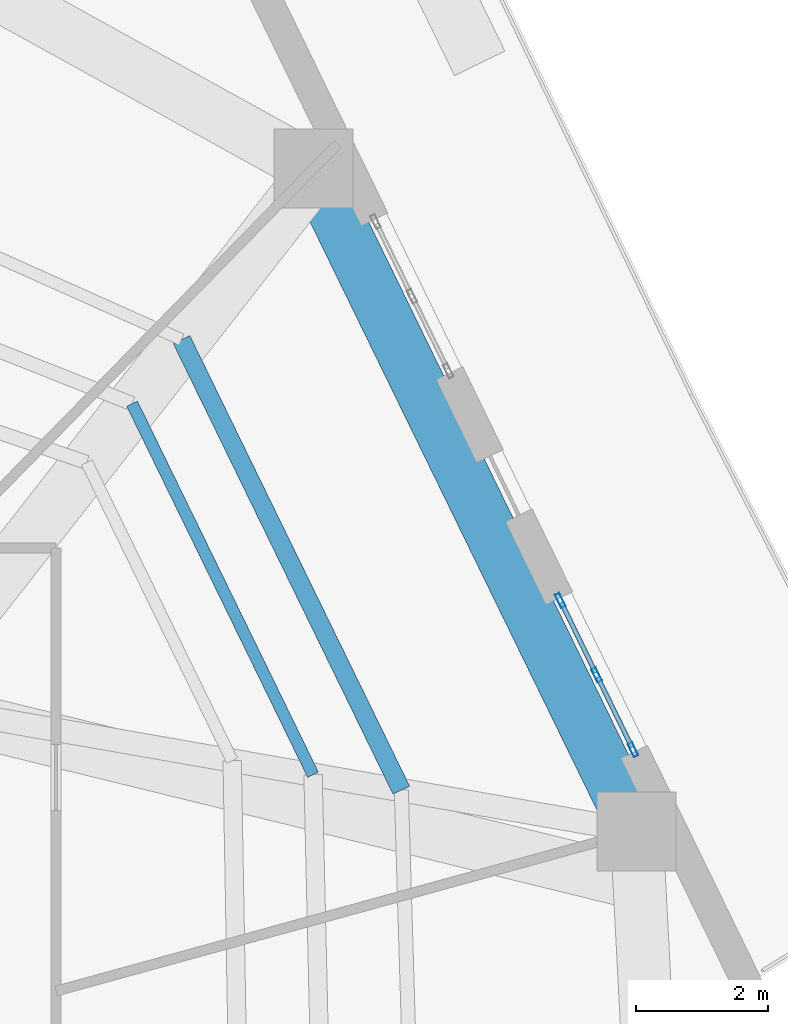
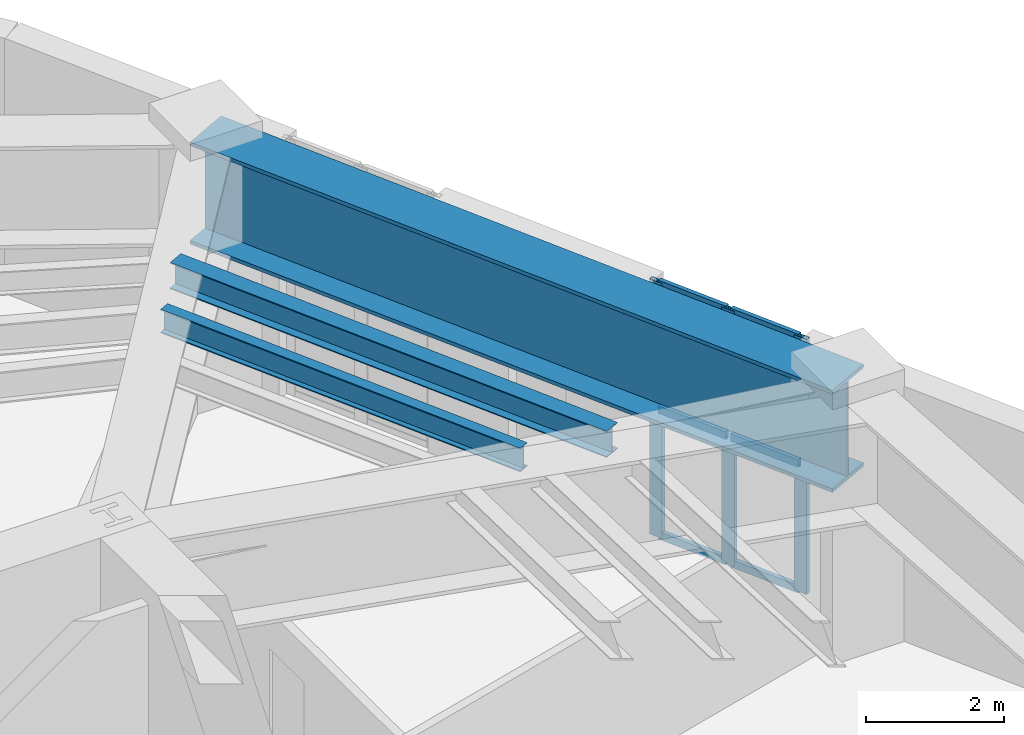
# One storey, part 10 of 22: 9 members, 3 beams, 1 element without a shape of its own.
"""IFC4 building model written with IfcOpenShell, lengths in metres."""

import ifcopenshell
import ifcopenshell.guid

model = None  # the IFC model being written
_history = None  # IfcOwnerHistory: only IFC2X3 demands one
_inside = {}  # id of a spatial element -> (the spatial element, [elements in it])
_under = {}  # id of a project, library or spatial element -> (it, [spatial elements below it])
_declared = {}  # id of a project -> (the project, [libraries it declares])
_typed = {}  # id of a type object -> (the type object, [elements of that type])
_made_of = {}  # id of a material, layer set ... -> (it, [elements and type objects made of it])


def new_model(schema):
    """Start an empty IFC model of exactly this schema.

    Asked for "IFC4X3", IfcOpenShell would pick the latest addendum, in which some entities
    have other attributes; the version numbers below select the first issue.
    IFC2X3 requires an IfcOwnerHistory on every rooted entity: one is made here for all.
    """
    global model, _history
    if schema == "IFC4X3":
        model = ifcopenshell.file(schema_version=(4, 3, 0, 0))
    else:
        model = ifcopenshell.file(schema=schema)
    _inside.clear()
    _under.clear()
    _declared.clear()
    _typed.clear()
    _made_of.clear()
    _history = None
    if model.schema == "IFC2X3":
        org = make("IfcOrganization", Name="unknown")
        user = make(
            "IfcPersonAndOrganization",
            ThePerson=make("IfcPerson", FamilyName="unknown"),
            TheOrganization=org,
        )
        app = make(
            "IfcApplication",
            ApplicationDeveloper=org,
            Version="unknown",
            ApplicationFullName="unknown",
            ApplicationIdentifier="unknown",
        )
        _history = make(
            "IfcOwnerHistory",
            OwningUser=user,
            OwningApplication=app,
            ChangeAction="ADDED",
            CreationDate=0,
        )
    return model


def make(cls, **values):
    """One entity of the class cls with the attributes given. An attribute that is None is left unset."""
    return model.create_entity(
        cls, **{name: value for name, value in values.items() if value is not None}
    )


def rooted(cls, **values):
    """An entity with a GlobalId (a new one), such as an element, a storey or a relation."""
    return make(cls, GlobalId=ifcopenshell.guid.new(), OwnerHistory=_history, **values)


def si_unit(unit_type, name, prefix=None):
    """IfcSIUnit, for example si_unit("LENGTHUNIT", "METRE", prefix="MILLI")."""
    return make("IfcSIUnit", UnitType=unit_type, Prefix=prefix, Name=name)


def assignment(units):
    """IfcUnitAssignment: the units of a project."""
    return None if units is None else make("IfcUnitAssignment", Units=units)


def point(xyz):
    """IfcCartesianPoint."""
    return None if xyz is None else make("IfcCartesianPoint", Coordinates=xyz)


def direction(xyz):
    """IfcDirection."""
    return None if xyz is None else make("IfcDirection", DirectionRatios=xyz)


def frame(location, z_axis=None, x_axis=None):
    """IfcAxis2Placement3D, a coordinate frame: its origin and axes. An axis left out is left unset."""
    return make(
        "IfcAxis2Placement3D",
        Location=point(location),
        Axis=direction(z_axis),
        RefDirection=direction(x_axis),
    )


def frame_2d(location, x_axis=None):
    """IfcAxis2Placement2D, a coordinate frame in the plane: its origin and x axis."""
    return make(
        "IfcAxis2Placement2D", Location=point(location), RefDirection=direction(x_axis)
    )


def origin():
    """The frame at (0, 0, 0) with its axes left unset."""
    return frame((0.0, 0.0, 0.0))


def origin_2d():
    """The frame at (0, 0) in the plane with its x axis left unset."""
    return frame_2d((0.0, 0.0))


def place(relative_to, where):
    """IfcLocalPlacement: puts the frame where relative to a parent placement (None: the world)."""
    return make(
        "IfcLocalPlacement", PlacementRelTo=relative_to, RelativePlacement=where
    )


def context(
    kind, dimensions, precision=None, world=None, true_north=None, identifier=None
):
    """IfcGeometricRepresentationContext, for example the 3D "Model" context."""
    return make(
        "IfcGeometricRepresentationContext",
        ContextIdentifier=identifier,
        ContextType=kind,
        CoordinateSpaceDimension=dimensions,
        Precision=precision,
        WorldCoordinateSystem=world,
        TrueNorth=true_north,
    )


def subcontext(parent, identifier, kind, view, scale=None):
    """IfcGeometricRepresentationSubContext, for example "Body" below "Model"."""
    return make(
        "IfcGeometricRepresentationSubContext",
        ContextIdentifier=identifier,
        ContextType=kind,
        ParentContext=parent,
        TargetScale=scale,
        TargetView=view,
    )


def project(units=None, contexts=None):
    """IfcProject with its units and contexts."""
    return rooted(
        "IfcProject",
        Name="project",
        RepresentationContexts=contexts,
        UnitsInContext=assignment(units),
    )


def spatial(cls, under=None, at=None, **own):
    """A site, building, storey or space (cls), placed at a placement, below another one or the project."""
    s = rooted(cls, ObjectPlacement=at, **own)
    if under is not None:
        _under.setdefault(under.id(), (under, []))[1].append(s)
    return s


def profile(cls, at=None, kind="AREA", **sizes):
    """A parametric profile (cls). Its sizes go by their IFC names, for example OverallWidth=200.0."""
    return make(cls, ProfileType=kind, Position=at, **sizes)


def hollow_rectangle(**sizes):
    """IfcRectangleHollowProfileDef."""
    return profile("IfcRectangleHollowProfileDef", **sizes)


def i_section(**sizes):
    """IfcIShapeProfileDef."""
    return profile("IfcIShapeProfileDef", **sizes)


def extrude(swept, where, along, depth):
    """IfcExtrudedAreaSolid: the profile swept, set in the frame where, extruded along a direction by depth."""
    return make(
        "IfcExtrudedAreaSolid",
        SweptArea=swept,
        Position=where,
        ExtrudedDirection=direction(along),
        Depth=depth,
    )


def shape(context_of_items, identifier, shape_type, items):
    """IfcShapeRepresentation: the items that make up one representation, for example the "Body"."""
    return make(
        "IfcShapeRepresentation",
        ContextOfItems=context_of_items,
        RepresentationIdentifier=identifier,
        RepresentationType=shape_type,
        Items=items,
    )


def material(Name=None, Category=None):
    """IfcMaterial."""
    return make("IfcMaterial", Name=Name, Category=Category)


def layer(
    of_material, thickness, ventilated=None, Name=None, Category=None, Priority=None
):
    """IfcMaterialLayer: one layer of a wall or slab, of a material (None: an air gap)."""
    return make(
        "IfcMaterialLayer",
        Material=of_material,
        LayerThickness=thickness,
        IsVentilated=ventilated,
        Name=Name,
        Category=Category,
        Priority=Priority,
    )


def layer_set(layers, Name=None):
    """IfcMaterialLayerSet."""
    return make("IfcMaterialLayerSet", MaterialLayers=layers, LayerSetName=Name)


def material_profile(
    of_material, cross_section, Name=None, Category=None, Priority=None
):
    """IfcMaterialProfile: a cross section and its material."""
    return make(
        "IfcMaterialProfile",
        Name=Name,
        Material=of_material,
        Profile=cross_section,
        Priority=Priority,
        Category=Category,
    )


def profile_set(profiles, Name=None, composite=None):
    """IfcMaterialProfileSet."""
    return make(
        "IfcMaterialProfileSet",
        Name=Name,
        MaterialProfiles=profiles,
        CompositeProfile=composite,
    )


def made_of(thing, what):
    """Note that an element or type object is made of a material, layer set ...; save() writes the relation."""
    if what is not None:
        _made_of.setdefault(what.id(), (what, []))[1].append(thing)
    return thing


def type_object(cls, material=None, **own):
    """A type object (cls), such as IfcWallType, which elements share."""
    return made_of(rooted(cls, **own), material)


def element(
    cls,
    number,
    at=None,
    inside=None,
    cuts=None,
    type_object=None,
    material=None,
    context=None,
    identifier="Body",
    shape_type=None,
    held_by="IfcProductDefinitionShape",
    body=None,
    shapes=None,
    **own,
):
    """One element of the class cls, such as IfcWall. Its Tag is "e" and its number.

    at: its placement. inside: the storey or other place that contains it. cuts: it is an
    opening in that element (IfcRelVoidsElement). A single representation is given by context,
    identifier, shape_type and body (its items); several are given by shapes. held_by: the class
    of the entity that holds the representations. save() writes the other relations.
    """
    e = rooted(cls, Tag="e%d" % number, ObjectPlacement=at, **own)
    if body is not None:
        shapes = [shape(context, identifier, shape_type, body)]
    if shapes is not None:
        e.Representation = make(held_by, Representations=shapes)
    if inside is not None:
        _inside.setdefault(inside.id(), (inside, []))[1].append(e)
    if cuts is not None:
        rooted(
            "IfcRelVoidsElement", RelatingBuildingElement=cuts, RelatedOpeningElement=e
        )
    if type_object is not None:
        _typed.setdefault(type_object.id(), (type_object, []))[1].append(e)
    return made_of(e, material)


def aggregate(whole, parts):
    """IfcRelAggregates: a whole, such as a stair, and the parts it consists of."""
    return rooted("IfcRelAggregates", RelatingObject=whole, RelatedObjects=parts)


def save(model, path):
    """Write the relations noted so far, then the file.

    IfcRelAggregates (storeys below a building ...), IfcRelContainedInSpatialStructure (elements
    in a storey), IfcRelDefinesByType, IfcRelAssociatesMaterial and IfcRelDeclares: one each for
    every whole, place, type object, material and project.
    """
    for whole, parts in _under.values():
        aggregate(whole, parts)
    for where, things in _inside.values():
        rooted(
            "IfcRelContainedInSpatialStructure",
            RelatedElements=things,
            RelatingStructure=where,
        )
    for kind, things in _typed.values():
        rooted("IfcRelDefinesByType", RelatedObjects=things, RelatingType=kind)
    for what, things in _made_of.values():
        rooted("IfcRelAssociatesMaterial", RelatedObjects=things, RelatingMaterial=what)
    for by, libraries in _declared.values():
        rooted("IfcRelDeclares", RelatingContext=by, RelatedDefinitions=libraries)
    model.write(path)


model = new_model("IFC4")

# Units and contexts
model_context = context("Model", 3, precision=1e-05, world=origin(), true_north=direction((0.0, 1.0)))
body_context = subcontext(model_context, "Body", "Model", "MODEL_VIEW")
ifc_project = project(units=[si_unit("LENGTHUNIT", "METRE"), si_unit("AREAUNIT", "SQUARE_METRE"), si_unit("VOLUMEUNIT", "CUBIC_METRE"), si_unit("PLANEANGLEUNIT", "RADIAN"), si_unit("MASSUNIT", "GRAM", prefix="KILO")], contexts=[model_context])

# Site, building, storey
site_placement = place(None, origin())
site = spatial("IfcSite", under=ifc_project, at=site_placement, CompositionType="ELEMENT")
building_placement = place(site_placement, origin())
building = spatial("IfcBuilding", under=site, at=building_placement, Name="Kilnhurst Terrace Hotel", CompositionType="ELEMENT")
storey_placement = place(building_placement, frame((0.0, 0.0, 139.5)))
storey = spatial("IfcBuildingStorey", under=building, at=storey_placement, Name="L34", CompositionType="ELEMENT", Elevation=139.5)

# Beams
ifc_material_1 = material(Name="Steel ASTM A992 Grade 50", Category="steel")
ifc_material_profile_1 = material_profile(ifc_material_1, i_section(OverallWidth=0.180908203125, OverallDepth=0.417236328125, WebThickness=0.010986328125, FlangeThickness=0.018310546875, at=origin_2d()), Name="W16X57")
ifc_profile_set_1 = profile_set([ifc_material_profile_1], Name="Steel ASTM A992 Grade 50")
beam_type_1 = type_object("IfcBeamType", Name="JST-STL-W16X57", PredefinedType="JOIST", material=ifc_profile_set_1)
beam_1_placement = place(storey_placement, frame((15.251708984375, 6.407470703125, 4.291015625), z_axis=(-0.438389098362, 0.89878529051, 0.0), x_axis=(-0.89878529051, -0.438389098362, 0.0)))
element("IfcBeam", 1, at=beam_1_placement, inside=storey, type_object=beam_type_1, Name="L34 Secondary Floor Steel Joist MID.5", PredefinedType="JOIST", context=body_context, shape_type="SweptSolid", body=[
    extrude(i_section(OverallWidth=0.180908203125, OverallDepth=0.417236328125, WebThickness=0.010986328125, FlangeThickness=0.018310546875, at=origin_2d()), origin(), (0.0, 0.0, 1.0), 6.26806640625),
])
ifc_material_profile_2 = material_profile(ifc_material_1, i_section(OverallWidth=0.279296875, OverallDepth=0.462890625, WebThickness=0.0107421875, FlangeThickness=0.017333984375, at=origin_2d()), Name="W18X76")
ifc_profile_set_2 = profile_set([ifc_material_profile_2], Name="Steel ASTM A992 Grade 50")
beam_type_2 = type_object("IfcBeamType", Name="JST-STL-W18X76", PredefinedType="JOIST", material=ifc_profile_set_2)
beam_2_placement = place(storey_placement, frame((16.591552734375, 6.17333984375, 4.26806640625), z_axis=(-0.438390137084, 0.898784783865, 0.0), x_axis=(-0.898784783865, -0.438390137084, 0.0)))
element("IfcBeam", 2, at=beam_2_placement, inside=storey, type_object=beam_type_2, Name="L34 Secondary Floor Steel Joist OUT.5", PredefinedType="JOIST", context=body_context, shape_type="SweptSolid", body=[
    extrude(i_section(OverallWidth=0.279296875, OverallDepth=0.462890625, WebThickness=0.0107421875, FlangeThickness=0.017333984375, at=origin_2d()), origin(), (0.0, 0.0, 1.0), 7.611083984375),
])

# Curtain wall, members
ifc_material_2 = material(Name="Anodized Aluminium Alloy 6063-T6 and Low-E Glass", Category="aluminium")
ifc_layer = layer(ifc_material_2, 0.219970703125, Name="Anodized Aluminium Alloy 6063-T6 and Low-E Glass")
ifc_layer_set = layer_set([ifc_layer], Name="Anodized Aluminium Alloy 6063-T6 and Low-E Glass")
curtain_wall_type = type_object("IfcCurtainWallType", Name="CW-SKY-L34", PredefinedType="NOTDEFINED", material=ifc_layer_set)
curtain_wall_placement = place(storey_placement, origin())
curtain_wall = element("IfcCurtainWall", 3, at=curtain_wall_placement, inside=storey, type_object=curtain_wall_type, Name="L34 Curtain Wall CW-L34-F3-1", PredefinedType="NOTDEFINED")
ifc_material_3 = material(Name="Extruded Aluminium Alloy 6063-T6", Category="aluminium")
ifc_material_profile_3 = material_profile(ifc_material_3, hollow_rectangle(XDim=0.074951171875, YDim=0.219970703125, WallThickness=0.00390625, at=origin_2d()), Name="CWM75X220")
ifc_profile_set_3 = profile_set([ifc_material_profile_3], Name="Extruded Aluminium Alloy 6063-T6")
member_type_1 = type_object("IfcMemberType", Name="MEM-CWM75X220", PredefinedType="MULLION", material=ifc_profile_set_3)
member_1_placement = place(storey_placement, frame((20.10986328125, 6.788818359375, 0.0), z_axis=(0.0, 0.0, 1.0), x_axis=(-0.898775479666, -0.438409211982, 0.0)))
member_1 = element("IfcMember", 4, at=member_1_placement, type_object=member_type_1, Name="CWS-3 mullion 1", PredefinedType="MULLION", context=body_context, shape_type="SweptSolid", body=[
    extrude(hollow_rectangle(XDim=0.074951171875, YDim=0.219970703125, WallThickness=0.00390625, at=origin_2d()), origin(), (0.0, 0.0, 1.0), 4.5),
])
member_2_placement = place(storey_placement, frame((19.557373046875, 7.921630859375, 0.0), z_axis=(0.0, 0.0, 1.0), x_axis=(-0.898775479666, -0.438409211982, 0.0)))
member_2 = element("IfcMember", 5, at=member_2_placement, type_object=member_type_1, Name="CWS-3 mullion 2", PredefinedType="MULLION", context=body_context, shape_type="SweptSolid", body=[
    extrude(hollow_rectangle(XDim=0.074951171875, YDim=0.219970703125, WallThickness=0.00390625, at=origin_2d()), origin(), (0.0, 0.0, 1.0), 4.5),
])
member_3_placement = place(storey_placement, frame((19.004638671875, 9.054443359375, 0.0), z_axis=(0.0, 0.0, 1.0), x_axis=(-0.898775479666, -0.438409211982, 0.0)))
member_3 = element("IfcMember", 6, at=member_3_placement, type_object=member_type_1, Name="CWS-3 mullion 3", PredefinedType="MULLION", context=body_context, shape_type="SweptSolid", body=[
    extrude(hollow_rectangle(XDim=0.074951171875, YDim=0.219970703125, WallThickness=0.00390625, at=origin_2d()), origin(), (0.0, 0.0, 1.0), 4.5),
])
ifc_material_profile_4 = material_profile(ifc_material_3, hollow_rectangle(XDim=0.070068359375, YDim=0.135009765625, WallThickness=0.00390625, at=origin_2d()), Name="CWT70X135")
ifc_profile_set_4 = profile_set([ifc_material_profile_4], Name="Extruded Aluminium Alloy 6063-T6")
member_type_2 = type_object("IfcMemberType", Name="MEM-CWT70X135", PredefinedType="USERDEFINED", material=ifc_profile_set_4)
member_4_placement = place(storey_placement, frame((20.093505859375, 6.822509765625, 0.034912109375), z_axis=(-0.438460149808, 0.898750631171, 0.0), x_axis=(-0.898750631171, -0.438460149808, 0.0)))
member_4 = element("IfcMember", 7, at=member_4_placement, type_object=member_type_2, Name="CWS-3 transom 1.1", ObjectType="TRANSOM", PredefinedType="USERDEFINED", context=body_context, shape_type="SweptSolid", body=[
    extrude(hollow_rectangle(XDim=0.070068359375, YDim=0.135009765625, WallThickness=0.00390625, at=origin_2d()), origin(), (0.0, 0.0, 1.0), 1.185546875),
])
member_5_placement = place(storey_placement, frame((20.093505859375, 6.822509765625, 2.25), z_axis=(-0.438460149808, 0.898750631171, 0.0), x_axis=(-0.898750631171, -0.438460149808, 0.0)))
member_5 = element("IfcMember", 8, at=member_5_placement, type_object=member_type_2, Name="CWS-3 transom 1.2", ObjectType="TRANSOM", PredefinedType="USERDEFINED", context=body_context, shape_type="SweptSolid", body=[
    extrude(hollow_rectangle(XDim=0.070068359375, YDim=0.135009765625, WallThickness=0.00390625, at=origin_2d()), origin(), (0.0, 0.0, 1.0), 1.185546875),
])
member_6_placement = place(storey_placement, frame((20.093505859375, 6.822509765625, 4.465087890625), z_axis=(-0.438460149808, 0.898750631171, 0.0), x_axis=(-0.898750631171, -0.438460149808, 0.0)))
member_6 = element("IfcMember", 9, at=member_6_placement, type_object=member_type_2, Name="CWS-3 transom 1.3", ObjectType="TRANSOM", PredefinedType="USERDEFINED", context=body_context, shape_type="SweptSolid", body=[
    extrude(hollow_rectangle(XDim=0.070068359375, YDim=0.135009765625, WallThickness=0.00390625, at=origin_2d()), origin(), (0.0, 0.0, 1.0), 1.185546875),
])
member_7_placement = place(storey_placement, frame((19.541015625, 7.955322265625, 0.034912109375), z_axis=(-0.438460149808, 0.898750631171, 0.0), x_axis=(-0.898750631171, -0.438460149808, 0.0)))
member_7 = element("IfcMember", 10, at=member_7_placement, type_object=member_type_2, Name="CWS-3 transom 2.1", ObjectType="TRANSOM", PredefinedType="USERDEFINED", context=body_context, shape_type="SweptSolid", body=[
    extrude(hollow_rectangle(XDim=0.070068359375, YDim=0.135009765625, WallThickness=0.00390625, at=origin_2d()), origin(), (0.0, 0.0, 1.0), 1.185546875),
])
member_8_placement = place(storey_placement, frame((19.541015625, 7.955322265625, 2.25), z_axis=(-0.438460149808, 0.898750631171, 0.0), x_axis=(-0.898750631171, -0.438460149808, 0.0)))
member_8 = element("IfcMember", 11, at=member_8_placement, type_object=member_type_2, Name="CWS-3 transom 2.2", ObjectType="TRANSOM", PredefinedType="USERDEFINED", context=body_context, shape_type="SweptSolid", body=[
    extrude(hollow_rectangle(XDim=0.070068359375, YDim=0.135009765625, WallThickness=0.00390625, at=origin_2d()), origin(), (0.0, 0.0, 1.0), 1.185546875),
])
member_9_placement = place(storey_placement, frame((19.541015625, 7.955322265625, 4.465087890625), z_axis=(-0.438460149808, 0.898750631171, 0.0), x_axis=(-0.898750631171, -0.438460149808, 0.0)))
member_9 = element("IfcMember", 12, at=member_9_placement, type_object=member_type_2, Name="CWS-3 transom 2.3", ObjectType="TRANSOM", PredefinedType="USERDEFINED", context=body_context, shape_type="SweptSolid", body=[
    extrude(hollow_rectangle(XDim=0.070068359375, YDim=0.135009765625, WallThickness=0.00390625, at=origin_2d()), origin(), (0.0, 0.0, 1.0), 1.185546875),
])
aggregate(curtain_wall, [member_1, member_2, member_3, member_4, member_5, member_6, member_7, member_8, member_9])

# Beam
ifc_material_4 = material(Name="Steel ASTM A572 Grade 50", Category="steel")
ifc_material_profile_5 = material_profile(ifc_material_4, i_section(OverallWidth=0.800048828125, OverallDepth=1.800048828125, WebThickness=0.0400390625, FlangeThickness=0.06494140625, at=origin_2d()), Name="PG1800X800")
ifc_profile_set_5 = profile_set([ifc_material_profile_5], Name="Steel ASTM A572 Grade 50")
beam_type_3 = type_object("IfcBeamType", Name="TG-STEP-1800", PredefinedType="USERDEFINED", material=ifc_profile_set_5)
beam_3_placement = place(storey_placement, frame((20.1640625, 5.549072265625, 3.60009765625), z_axis=(-0.438406012271, 0.89877704043, 0.0), x_axis=(-0.89877704043, -0.438406012271, 0.0)))
element("IfcBeam", 13, at=beam_3_placement, inside=storey, type_object=beam_type_3, Name="L34 Zone Step Perimeter Transfer Girder 5", ObjectType="GIRDER", PredefinedType="USERDEFINED", context=body_context, shape_type="SweptSolid", body=[
    extrude(i_section(OverallWidth=0.800048828125, OverallDepth=1.800048828125, WebThickness=0.0400390625, FlangeThickness=0.06494140625, at=origin_2d()), origin(), (0.0, 0.0, 1.0), 11.19287109375),
])

save(model, "model.ifc")
